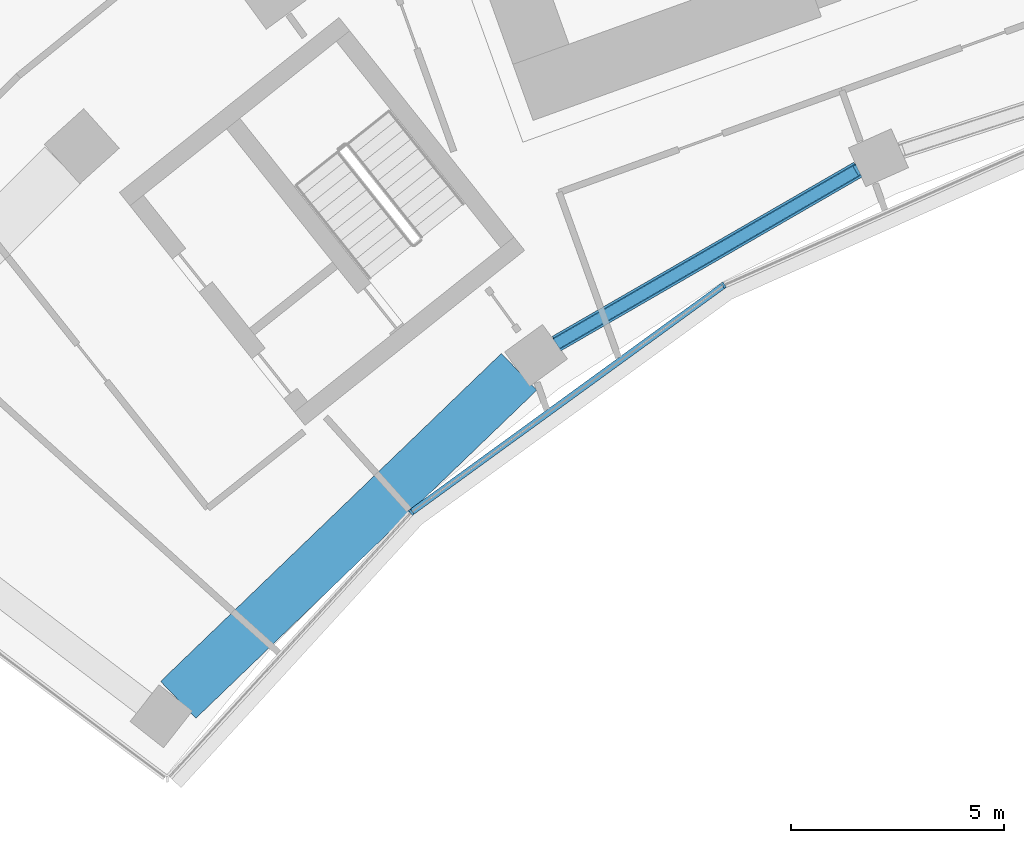
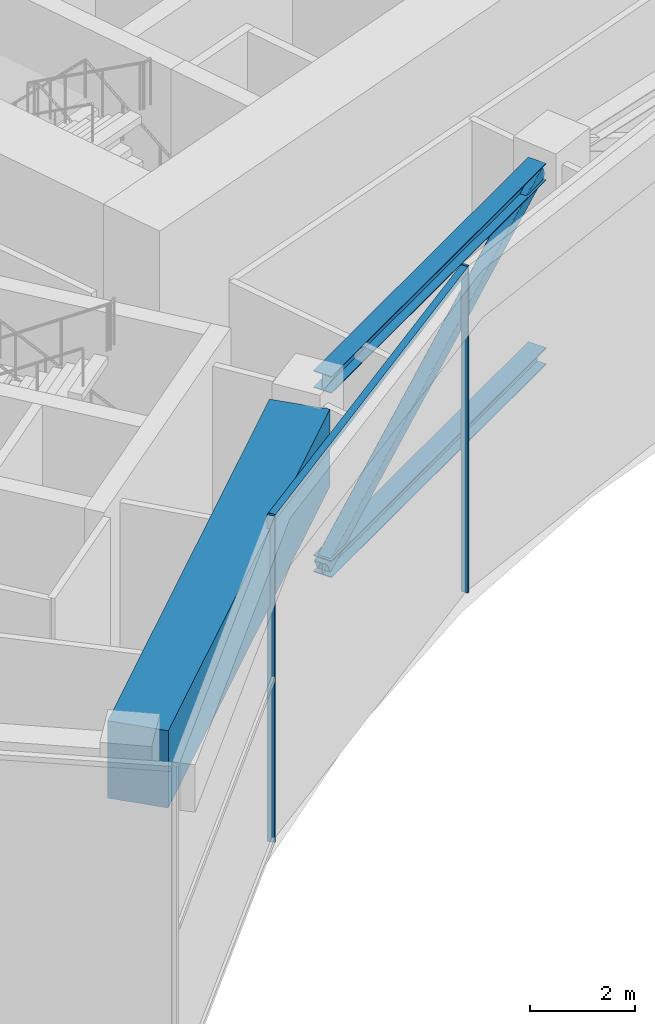
# One storey, part 3 of 32: 6 members, 1 beam, 1 element without a shape of its own.
"""IFC4 building model written with IfcOpenShell, lengths in metres."""

import ifcopenshell
import ifcopenshell.guid

model = None  # the IFC model being written
_history = None  # IfcOwnerHistory: only IFC2X3 demands one
_inside = {}  # id of a spatial element -> (the spatial element, [elements in it])
_under = {}  # id of a project, library or spatial element -> (it, [spatial elements below it])
_declared = {}  # id of a project -> (the project, [libraries it declares])
_typed = {}  # id of a type object -> (the type object, [elements of that type])
_made_of = {}  # id of a material, layer set ... -> (it, [elements and type objects made of it])


def new_model(schema):
    """Start an empty IFC model of exactly this schema.

    Asked for "IFC4X3", IfcOpenShell would pick the latest addendum, in which some entities
    have other attributes; the version numbers below select the first issue.
    IFC2X3 requires an IfcOwnerHistory on every rooted entity: one is made here for all.
    """
    global model, _history
    if schema == "IFC4X3":
        model = ifcopenshell.file(schema_version=(4, 3, 0, 0))
    else:
        model = ifcopenshell.file(schema=schema)
    _inside.clear()
    _under.clear()
    _declared.clear()
    _typed.clear()
    _made_of.clear()
    _history = None
    if model.schema == "IFC2X3":
        org = make("IfcOrganization", Name="unknown")
        user = make(
            "IfcPersonAndOrganization",
            ThePerson=make("IfcPerson", FamilyName="unknown"),
            TheOrganization=org,
        )
        app = make(
            "IfcApplication",
            ApplicationDeveloper=org,
            Version="unknown",
            ApplicationFullName="unknown",
            ApplicationIdentifier="unknown",
        )
        _history = make(
            "IfcOwnerHistory",
            OwningUser=user,
            OwningApplication=app,
            ChangeAction="ADDED",
            CreationDate=0,
        )
    return model


def make(cls, **values):
    """One entity of the class cls with the attributes given. An attribute that is None is left unset."""
    return model.create_entity(
        cls, **{name: value for name, value in values.items() if value is not None}
    )


def rooted(cls, **values):
    """An entity with a GlobalId (a new one), such as an element, a storey or a relation."""
    return make(cls, GlobalId=ifcopenshell.guid.new(), OwnerHistory=_history, **values)


def si_unit(unit_type, name, prefix=None):
    """IfcSIUnit, for example si_unit("LENGTHUNIT", "METRE", prefix="MILLI")."""
    return make("IfcSIUnit", UnitType=unit_type, Prefix=prefix, Name=name)


def assignment(units):
    """IfcUnitAssignment: the units of a project."""
    return None if units is None else make("IfcUnitAssignment", Units=units)


def point(xyz):
    """IfcCartesianPoint."""
    return None if xyz is None else make("IfcCartesianPoint", Coordinates=xyz)


def direction(xyz):
    """IfcDirection."""
    return None if xyz is None else make("IfcDirection", DirectionRatios=xyz)


def frame(location, z_axis=None, x_axis=None):
    """IfcAxis2Placement3D, a coordinate frame: its origin and axes. An axis left out is left unset."""
    return make(
        "IfcAxis2Placement3D",
        Location=point(location),
        Axis=direction(z_axis),
        RefDirection=direction(x_axis),
    )


def frame_2d(location, x_axis=None):
    """IfcAxis2Placement2D, a coordinate frame in the plane: its origin and x axis."""
    return make(
        "IfcAxis2Placement2D", Location=point(location), RefDirection=direction(x_axis)
    )


def origin():
    """The frame at (0, 0, 0) with its axes left unset."""
    return frame((0.0, 0.0, 0.0))


def origin_2d():
    """The frame at (0, 0) in the plane with its x axis left unset."""
    return frame_2d((0.0, 0.0))


def place(relative_to, where):
    """IfcLocalPlacement: puts the frame where relative to a parent placement (None: the world)."""
    return make(
        "IfcLocalPlacement", PlacementRelTo=relative_to, RelativePlacement=where
    )


def context(
    kind, dimensions, precision=None, world=None, true_north=None, identifier=None
):
    """IfcGeometricRepresentationContext, for example the 3D "Model" context."""
    return make(
        "IfcGeometricRepresentationContext",
        ContextIdentifier=identifier,
        ContextType=kind,
        CoordinateSpaceDimension=dimensions,
        Precision=precision,
        WorldCoordinateSystem=world,
        TrueNorth=true_north,
    )


def subcontext(parent, identifier, kind, view, scale=None):
    """IfcGeometricRepresentationSubContext, for example "Body" below "Model"."""
    return make(
        "IfcGeometricRepresentationSubContext",
        ContextIdentifier=identifier,
        ContextType=kind,
        ParentContext=parent,
        TargetScale=scale,
        TargetView=view,
    )


def project(units=None, contexts=None):
    """IfcProject with its units and contexts."""
    return rooted(
        "IfcProject",
        Name="project",
        RepresentationContexts=contexts,
        UnitsInContext=assignment(units),
    )


def spatial(cls, under=None, at=None, **own):
    """A site, building, storey or space (cls), placed at a placement, below another one or the project."""
    s = rooted(cls, ObjectPlacement=at, **own)
    if under is not None:
        _under.setdefault(under.id(), (under, []))[1].append(s)
    return s


def profile(cls, at=None, kind="AREA", **sizes):
    """A parametric profile (cls). Its sizes go by their IFC names, for example OverallWidth=200.0."""
    return make(cls, ProfileType=kind, Position=at, **sizes)


def rectangle(**sizes):
    """IfcRectangleProfileDef."""
    return profile("IfcRectangleProfileDef", **sizes)


def hollow_rectangle(**sizes):
    """IfcRectangleHollowProfileDef."""
    return profile("IfcRectangleHollowProfileDef", **sizes)


def i_section(**sizes):
    """IfcIShapeProfileDef."""
    return profile("IfcIShapeProfileDef", **sizes)


def extrude(swept, where, along, depth):
    """IfcExtrudedAreaSolid: the profile swept, set in the frame where, extruded along a direction by depth."""
    return make(
        "IfcExtrudedAreaSolid",
        SweptArea=swept,
        Position=where,
        ExtrudedDirection=direction(along),
        Depth=depth,
    )


def shape(context_of_items, identifier, shape_type, items):
    """IfcShapeRepresentation: the items that make up one representation, for example the "Body"."""
    return make(
        "IfcShapeRepresentation",
        ContextOfItems=context_of_items,
        RepresentationIdentifier=identifier,
        RepresentationType=shape_type,
        Items=items,
    )


def material(Name=None, Category=None):
    """IfcMaterial."""
    return make("IfcMaterial", Name=Name, Category=Category)


def layer(
    of_material, thickness, ventilated=None, Name=None, Category=None, Priority=None
):
    """IfcMaterialLayer: one layer of a wall or slab, of a material (None: an air gap)."""
    return make(
        "IfcMaterialLayer",
        Material=of_material,
        LayerThickness=thickness,
        IsVentilated=ventilated,
        Name=Name,
        Category=Category,
        Priority=Priority,
    )


def layer_set(layers, Name=None):
    """IfcMaterialLayerSet."""
    return make("IfcMaterialLayerSet", MaterialLayers=layers, LayerSetName=Name)


def material_profile(
    of_material, cross_section, Name=None, Category=None, Priority=None
):
    """IfcMaterialProfile: a cross section and its material."""
    return make(
        "IfcMaterialProfile",
        Name=Name,
        Material=of_material,
        Profile=cross_section,
        Priority=Priority,
        Category=Category,
    )


def profile_set(profiles, Name=None, composite=None):
    """IfcMaterialProfileSet."""
    return make(
        "IfcMaterialProfileSet",
        Name=Name,
        MaterialProfiles=profiles,
        CompositeProfile=composite,
    )


def made_of(thing, what):
    """Note that an element or type object is made of a material, layer set ...; save() writes the relation."""
    if what is not None:
        _made_of.setdefault(what.id(), (what, []))[1].append(thing)
    return thing


def type_object(cls, material=None, **own):
    """A type object (cls), such as IfcWallType, which elements share."""
    return made_of(rooted(cls, **own), material)


def element(
    cls,
    number,
    at=None,
    inside=None,
    cuts=None,
    type_object=None,
    material=None,
    context=None,
    identifier="Body",
    shape_type=None,
    held_by="IfcProductDefinitionShape",
    body=None,
    shapes=None,
    **own,
):
    """One element of the class cls, such as IfcWall. Its Tag is "e" and its number.

    at: its placement. inside: the storey or other place that contains it. cuts: it is an
    opening in that element (IfcRelVoidsElement). A single representation is given by context,
    identifier, shape_type and body (its items); several are given by shapes. held_by: the class
    of the entity that holds the representations. save() writes the other relations.
    """
    e = rooted(cls, Tag="e%d" % number, ObjectPlacement=at, **own)
    if body is not None:
        shapes = [shape(context, identifier, shape_type, body)]
    if shapes is not None:
        e.Representation = make(held_by, Representations=shapes)
    if inside is not None:
        _inside.setdefault(inside.id(), (inside, []))[1].append(e)
    if cuts is not None:
        rooted(
            "IfcRelVoidsElement", RelatingBuildingElement=cuts, RelatedOpeningElement=e
        )
    if type_object is not None:
        _typed.setdefault(type_object.id(), (type_object, []))[1].append(e)
    return made_of(e, material)


def aggregate(whole, parts):
    """IfcRelAggregates: a whole, such as a stair, and the parts it consists of."""
    return rooted("IfcRelAggregates", RelatingObject=whole, RelatedObjects=parts)


def save(model, path):
    """Write the relations noted so far, then the file.

    IfcRelAggregates (storeys below a building ...), IfcRelContainedInSpatialStructure (elements
    in a storey), IfcRelDefinesByType, IfcRelAssociatesMaterial and IfcRelDeclares: one each for
    every whole, place, type object, material and project.
    """
    for whole, parts in _under.values():
        aggregate(whole, parts)
    for where, things in _inside.values():
        rooted(
            "IfcRelContainedInSpatialStructure",
            RelatedElements=things,
            RelatingStructure=where,
        )
    for kind, things in _typed.values():
        rooted("IfcRelDefinesByType", RelatedObjects=things, RelatingType=kind)
    for what, things in _made_of.values():
        rooted("IfcRelAssociatesMaterial", RelatedObjects=things, RelatingMaterial=what)
    for by, libraries in _declared.values():
        rooted("IfcRelDeclares", RelatingContext=by, RelatedDefinitions=libraries)
    model.write(path)


model = new_model("IFC4")

# Units and contexts
model_context = context("Model", 3, precision=1e-05, world=origin(), true_north=direction((0.0, 1.0)))
body_context = subcontext(model_context, "Body", "Model", "MODEL_VIEW")
ifc_project = project(units=[si_unit("LENGTHUNIT", "METRE"), si_unit("AREAUNIT", "SQUARE_METRE"), si_unit("VOLUMEUNIT", "CUBIC_METRE"), si_unit("PLANEANGLEUNIT", "RADIAN"), si_unit("MASSUNIT", "GRAM", prefix="KILO")], contexts=[model_context])

# Site, building, storey
site_placement = place(None, origin())
site = spatial("IfcSite", under=ifc_project, at=site_placement, CompositionType="ELEMENT")
building_placement = place(site_placement, origin())
building = spatial("IfcBuilding", under=site, at=building_placement, Name="Stone Belt Terrace Tower", CompositionType="ELEMENT")
storey_placement = place(building_placement, frame((0.0, 0.0, 193.39990234375)))
storey = spatial("IfcBuildingStorey", under=building, at=storey_placement, Name="L47", CompositionType="ELEMENT", Elevation=193.39990234375)

# Members
ifc_material_1 = material(Name="Structural steel C345", Category="steel")
ifc_material_profile_1 = material_profile(ifc_material_1, i_section(OverallWidth=0.39794921875, OverallDepth=0.39404296875, WebThickness=0.010986328125, FlangeThickness=0.01806640625, at=origin_2d()), Name="I 40K1")
ifc_profile_set_1 = profile_set([ifc_material_profile_1], Name="Structural steel C345")
member_type_1 = type_object("IfcMemberType", Name="Belt chord I 40K1", PredefinedType="CHORD", material=ifc_profile_set_1)
for number, where, z_axis, x_axis, name in (
    (1, (-25.645263671875, 36.2333984375, 7.0830078125), (0.866037575006, 0.499978918233, 0.0), (-0.499978918233, 0.866037575006, 0.0), "Belt truss T3 ring P top chord 2"),
    (2, (-25.645263671875, 36.2333984375, 2.797119140625), (0.866037575006, 0.499978918233, 0.0), (-0.499978918233, 0.866037575006, 0.0), "Belt truss T3 ring P bot chord 2"),
):
    element("IfcMember", number, at=place(storey_placement, frame(where, z_axis=z_axis, x_axis=x_axis)), inside=storey, type_object=member_type_1, Name=name, PredefinedType="CHORD", context=body_context, shape_type="SweptSolid", body=[
        extrude(i_section(OverallWidth=0.39794921875, OverallDepth=0.39404296875, WebThickness=0.010986328125, FlangeThickness=0.01806640625, at=origin_2d()), origin(), (0.0, 0.0, 1.0), 8.185302734375),
    ])
ifc_material_profile_2 = material_profile(ifc_material_1, hollow_rectangle(XDim=0.300048828125, YDim=0.300048828125, WallThickness=0.011962890625, InnerFilletRadius=0.02392578125, OuterFilletRadius=0.035888671875, at=origin_2d()), Name="SHS 300x300x12")
ifc_profile_set_2 = profile_set([ifc_material_profile_2], Name="Structural steel C345")
member_type_2 = type_object("IfcMemberType", Name="Belt diagonal SHS 300x300x12", PredefinedType="BRACE", material=ifc_profile_set_2)
member_1_placement = place(storey_placement, frame((-25.645263671875, 36.2333984375, 2.797119140625), z_axis=(0.76722902422, 0.44293498185, 0.463862292333), x_axis=(-0.499978918233, 0.866037575006, 0.0)))
element("IfcMember", 3, at=member_1_placement, inside=storey, type_object=member_type_2, Name="Belt truss T3 ring P diagonal 2", PredefinedType="BRACE", context=body_context, shape_type="SweptSolid", body=[
    extrude(hollow_rectangle(XDim=0.300048828125, YDim=0.300048828125, WallThickness=0.011962890625, InnerFilletRadius=0.02392578125, OuterFilletRadius=0.035888671875, at=origin_2d()), origin(), (0.0, 0.0, 1.0), 9.239501953125),
])

# Curtain wall, members
ifc_material_2 = material(Name="Aluminium 6063-T6 anodised frame", Category="aluminium")
ifc_layer = layer(ifc_material_2, 0.14990234375)
ifc_layer_set = layer_set([ifc_layer], Name="CW-B unitised concave-face curtain wall")
curtain_wall_type = type_object("IfcCurtainWallType", Name="CW-B unitised concave-face curtain wall", PredefinedType="NOTDEFINED", material=ifc_layer_set)
curtain_wall_placement = place(storey_placement, origin())
curtain_wall = element("IfcCurtainWall", 4, at=curtain_wall_placement, inside=storey, type_object=curtain_wall_type, Name="CW-B concave face L47", PredefinedType="NOTDEFINED")
ifc_material_profile_3 = material_profile(ifc_material_2, rectangle(XDim=0.14990234375, YDim=0.050048828125, at=origin_2d()), Name="Aluminium 6063-T6 50x150")
ifc_profile_set_3 = profile_set([ifc_material_profile_3], Name="Aluminium 6063-T6 anodised frame")
member_type_3 = type_object("IfcMemberType", Name="CW-B mullion 50 x 150", PredefinedType="MULLION", material=ifc_profile_set_3)
member_2_placement = place(storey_placement, frame((-29.056884765625, 32.2705078125, 0.0), z_axis=(0.0, 0.0, 1.0), x_axis=(-0.666300886777, 0.745682994496, 0.0)))
member_2 = element("IfcMember", 5, at=member_2_placement, type_object=member_type_3, Name="CW-B mullion 2", PredefinedType="MULLION", context=body_context, shape_type="SweptSolid", body=[
    extrude(rectangle(XDim=0.14990234375, YDim=0.050048828125, at=origin_2d()), origin(), (0.0, 0.0, 1.0), 7.60009765625),
])
member_3_placement = place(storey_placement, frame((-21.71240234375, 37.606689453125, 0.0), z_axis=(0.0, 0.0, 1.0), x_axis=(-0.5, 0.866025403784, 0.0)))
member_3 = element("IfcMember", 6, at=member_3_placement, type_object=member_type_3, Name="CW-B mullion 3", PredefinedType="MULLION", context=body_context, shape_type="SweptSolid", body=[
    extrude(rectangle(XDim=0.14990234375, YDim=0.050048828125, at=origin_2d()), origin(), (0.0, 0.0, 1.0), 7.60009765625),
])
ifc_material_profile_4 = material_profile(ifc_material_2, rectangle(XDim=0.14990234375, YDim=0.1201171875, at=origin_2d()), Name="Aluminium 6063-T6 150x120")
ifc_profile_set_4 = profile_set([ifc_material_profile_4], Name="Aluminium 6063-T6 anodised frame")
member_type_4 = type_object("IfcMemberType", Name="CW-B transom 120 x 150", PredefinedType="USERDEFINED", material=ifc_profile_set_4)
member_4_placement = place(storey_placement, frame((-29.03076171875, 32.28955078125, 7.5400390625), z_axis=(0.809008908433, 0.587796381475, 0.0), x_axis=(-0.587796381475, 0.809008908433, 0.0)))
member_4 = element("IfcMember", 7, at=member_4_placement, type_object=member_type_4, Name="CW-B transom 2.1", ObjectType="TRANSOM", PredefinedType="USERDEFINED", context=body_context, shape_type="SweptSolid", body=[
    extrude(rectangle(XDim=0.14990234375, YDim=0.1201171875, at=origin_2d()), origin(), (0.0, 0.0, 1.0), 9.013427734375),
])
aggregate(curtain_wall, [member_2, member_3, member_4])

# Beam
ifc_material_3 = material(Name="Concrete B80", Category="concrete")
ifc_material_profile_5 = material_profile(ifc_material_3, rectangle(XDim=1.199951171875, YDim=1.800048828125, at=origin_2d()), Name="RC 1200x1800")
ifc_profile_set_5 = profile_set([ifc_material_profile_5], Name="Concrete B80")
beam_type = type_object("IfcBeamType", Name="Transfer girder RC 1200x1800 B80", PredefinedType="BEAM", material=ifc_profile_set_5)
beam_placement = place(storey_placement, frame((-34.533935546875, 27.86181640625, 6.380126953125), z_axis=(0.72046161739, 0.693494814593, 0.0), x_axis=(-0.693494814593, 0.72046161739, 0.0)))
element("IfcBeam", 8, at=beam_placement, inside=storey, type_object=beam_type, Name="Transfer beam L47 PPA-P16", PredefinedType="BEAM", context=body_context, shape_type="SweptSolid", body=[
    extrude(rectangle(XDim=1.199951171875, YDim=1.800048828125, at=origin_2d()), origin(), (0.0, 0.0, 1.0), 11.117431640625),
])

save(model, "model.ifc")
